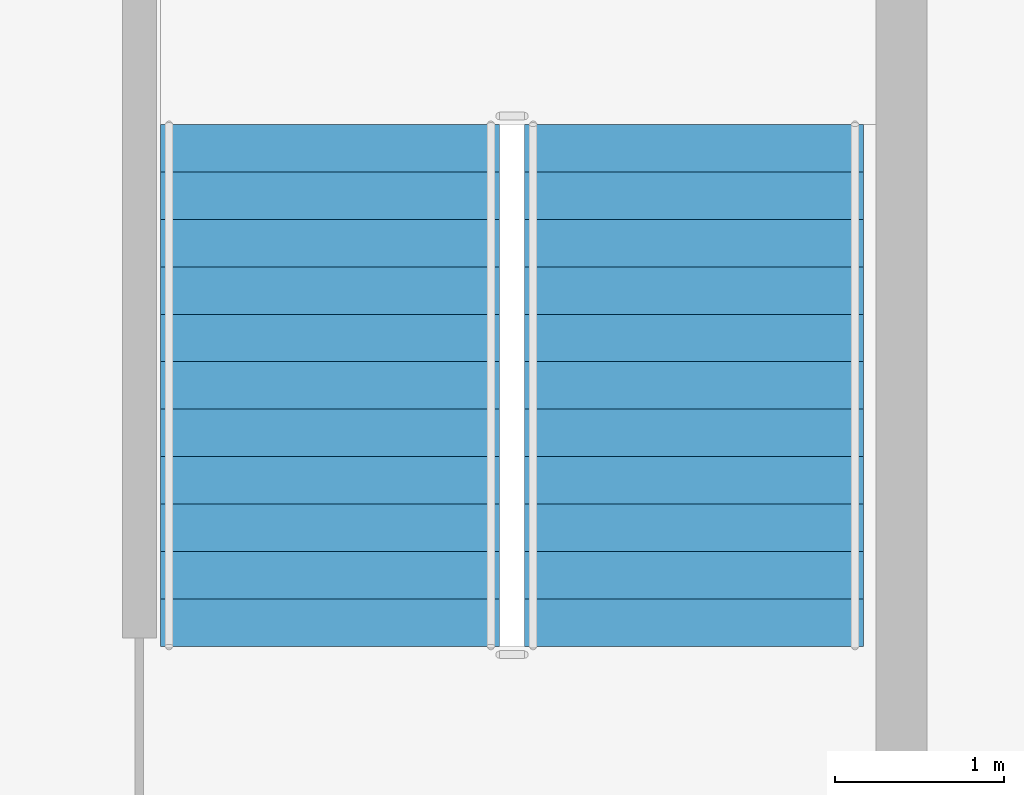
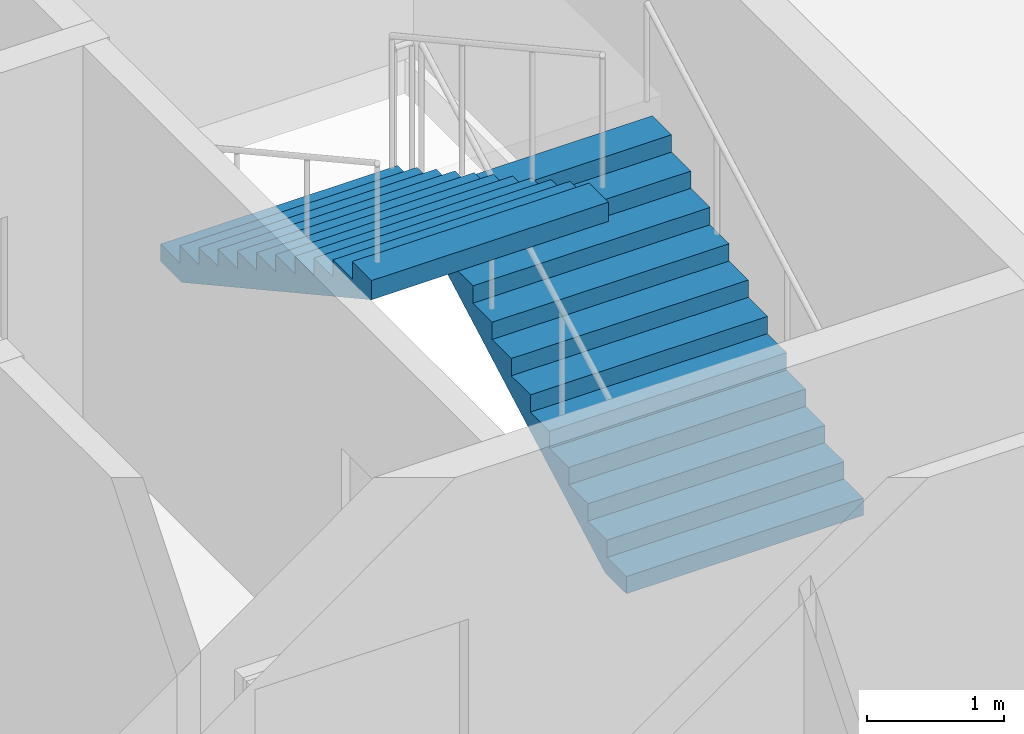
# One storey, part 10 of 17: 2 stair flights, 1 element without a shape of its own.
"""IFC4 building model written with IfcOpenShell, lengths in metres."""

from ifc_helpers import new_model, si_unit, direction, frame, origin, place, context, subcontext, project, spatial, polygons, material, type_object, element, aggregate, save


model = new_model("IFC4")

# Units and contexts
model_context = context("Model", 3, precision=1e-05, world=origin(), true_north=direction((0.0, 1.0)))
body_context = subcontext(model_context, "Body", "Model", "MODEL_VIEW")
ifc_project = project(units=[si_unit("LENGTHUNIT", "METRE"), si_unit("AREAUNIT", "SQUARE_METRE"), si_unit("VOLUMEUNIT", "CUBIC_METRE"), si_unit("PLANEANGLEUNIT", "RADIAN"), si_unit("MASSUNIT", "GRAM", prefix="KILO")], contexts=[model_context])

# Site, building, storey
site_placement = place(None, origin())
site = spatial("IfcSite", under=ifc_project, at=site_placement, CompositionType="ELEMENT")
building_placement = place(site_placement, origin())
building = spatial("IfcBuilding", under=site, at=building_placement, Name="Caravel Reach Hotel and Residences", CompositionType="ELEMENT")
storey_placement = place(building_placement, frame((0.0, 0.0, 192.39990234375)))
storey = spatial("IfcBuildingStorey", under=building, at=storey_placement, Name="L48", CompositionType="ELEMENT", Elevation=192.39990234375)

# Stair, stair flights
ifc_material_1 = material(Name="Concrete C40", Category="concrete")
stair_type = type_object("IfcStairType", Name="Core stair", PredefinedType="HALF_TURN_STAIR", material=ifc_material_1)
stair_placement = place(storey_placement, origin())
stair = element("IfcStair", 1, at=stair_placement, inside=storey, type_object=stair_type, Name="L48 Exit stair B", PredefinedType="HALF_TURN_STAIR")
ifc_material_2 = material(Name="Concrete C40", Category="concrete")
stair_flight_type = type_object("IfcStairFlightType", Name="Core stair flight", PredefinedType="STRAIGHT", material=ifc_material_2)
stair_flight_1_placement = place(storey_placement, frame((43.77490234375, 24.64990234375, 0.0), z_axis=(0.0, 0.0, 1.0), x_axis=(0.0, 1.0, 0.0)))
stair_flight_1 = element("IfcStairFlight", 2, at=stair_flight_1_placement, type_object=stair_flight_type, Name="ST-B flight 1", NumberOfRisers=12, NumberOfTreads=11, PredefinedType="STRAIGHT", RiserHeight=0.154166667, TreadLength=0.28, context=body_context, shape_type="Tessellation", body=[
    polygons([(0.3107950034306102, 1.0, 0.0), (0.3107950034306102, 0.6666666666666667, 0.0), (0.3107950034306102, 0.33333333333333337, 0.0), (0.3107950034306102, 0.0, 0.0), (0.3107950034306102, -0.33333333333333326, 0.0), (0.3107950034306102, -0.6666666666666667, 0.0), (0.3107950034306102, -1.0, 0.0), (3.081, 1.0, 1.524711087717319), (3.081, 0.6666666666666667, 1.524711087717319), (3.081, 0.33333333333333337, 1.524711087717319), (3.081, 0.0, 1.524711087717319), (3.081, -0.33333333333333326, 1.524711087717319), (3.081, -0.6666666666666667, 1.524711087717319), (3.081, -1.0, 1.524711087717319), (3.081, 1.0, 1.695833337), (3.081, 0.6666666666666667, 1.695833337), (3.081, 0.33333333333333337, 1.695833337), (3.081, 0.0, 1.695833337), (3.081, -0.33333333333333326, 1.695833337), (3.081, -0.6666666666666667, 1.695833337), (3.081, -1.0, 1.695833337), (2.8000000000000003, 1.0, 1.695833337), (2.8000000000000003, 0.6666666666666667, 1.695833337), (2.8000000000000003, 0.33333333333333337, 1.695833337), (2.8000000000000003, 0.0, 1.695833337), (2.8000000000000003, -0.33333333333333326, 1.695833337), (2.8000000000000003, -0.6666666666666667, 1.695833337), (2.8000000000000003, -1.0, 1.695833337), (2.8000000000000003, 1.0, 1.5416666700000001), (2.8000000000000003, 0.6666666666666667, 1.5416666700000001), (2.8000000000000003, 0.33333333333333337, 1.5416666700000001), (2.8000000000000003, 0.0, 1.5416666700000001), (2.8000000000000003, -0.33333333333333326, 1.5416666700000001), (2.8000000000000003, -0.6666666666666667, 1.5416666700000001), (2.8000000000000003, -1.0, 1.5416666700000001), (2.5200000000000005, 1.0, 1.5416666700000001), (2.5200000000000005, 0.6666666666666667, 1.5416666700000001), (2.5200000000000005, 0.33333333333333337, 1.5416666700000001), (2.5200000000000005, 0.0, 1.5416666700000001), (2.5200000000000005, -0.33333333333333326, 1.5416666700000001), (2.5200000000000005, -0.6666666666666667, 1.5416666700000001), (2.5200000000000005, -1.0, 1.5416666700000001), (2.5200000000000005, 1.0, 1.387500003), (2.5200000000000005, 0.6666666666666667, 1.387500003), (2.5200000000000005, 0.33333333333333337, 1.387500003), (2.5200000000000005, 0.0, 1.387500003), (2.5200000000000005, -0.33333333333333326, 1.387500003), (2.5200000000000005, -0.6666666666666667, 1.387500003), (2.5200000000000005, -1.0, 1.387500003), (2.24, 1.0, 1.387500003), (2.24, 0.6666666666666667, 1.387500003), (2.24, 0.33333333333333337, 1.387500003), (2.24, 0.0, 1.387500003), (2.24, -0.33333333333333326, 1.387500003), (2.24, -0.6666666666666667, 1.387500003), (2.24, -1.0, 1.387500003), (2.24, 1.0, 1.233333336), (2.24, 0.6666666666666667, 1.233333336), (2.24, 0.33333333333333337, 1.233333336), (2.24, 0.0, 1.233333336), (2.24, -0.33333333333333326, 1.233333336), (2.24, -0.6666666666666667, 1.233333336), (2.24, -1.0, 1.233333336), (1.9600000000000002, 1.0, 1.233333336), (1.9600000000000002, 0.6666666666666667, 1.233333336), (1.9600000000000002, 0.33333333333333337, 1.233333336), (1.9600000000000002, 0.0, 1.233333336), (1.9600000000000002, -0.33333333333333326, 1.233333336), (1.9600000000000002, -0.6666666666666667, 1.233333336), (1.9600000000000002, -1.0, 1.233333336), (1.9600000000000002, 1.0, 1.0791666690000001), (1.9600000000000002, 0.6666666666666667, 1.0791666690000001), (1.9600000000000002, 0.33333333333333337, 1.0791666690000001), (1.9600000000000002, 0.0, 1.0791666690000001), (1.9600000000000002, -0.33333333333333326, 1.0791666690000001), (1.9600000000000002, -0.6666666666666667, 1.0791666690000001), (1.9600000000000002, -1.0, 1.0791666690000001), (1.6800000000000002, 1.0, 1.0791666690000001), (1.6800000000000002, 0.6666666666666667, 1.0791666690000001), (1.6800000000000002, 0.33333333333333337, 1.0791666690000001), (1.6800000000000002, 0.0, 1.0791666690000001), (1.6800000000000002, -0.33333333333333326, 1.0791666690000001), (1.6800000000000002, -0.6666666666666667, 1.0791666690000001), (1.6800000000000002, -1.0, 1.0791666690000001), (1.6800000000000002, 1.0, 0.925000002), (1.6800000000000002, 0.6666666666666667, 0.925000002), (1.6800000000000002, 0.33333333333333337, 0.925000002), (1.6800000000000002, 0.0, 0.925000002), (1.6800000000000002, -0.33333333333333326, 0.925000002), (1.6800000000000002, -0.6666666666666667, 0.925000002), (1.6800000000000002, -1.0, 0.925000002), (1.4000000000000001, 1.0, 0.925000002), (1.4000000000000001, 0.6666666666666667, 0.925000002), (1.4000000000000001, 0.33333333333333337, 0.925000002), (1.4000000000000001, 0.0, 0.925000002), (1.4000000000000001, -0.33333333333333326, 0.925000002), (1.4000000000000001, -0.6666666666666667, 0.925000002), (1.4000000000000001, -1.0, 0.925000002), (1.4000000000000001, 1.0, 0.7708333350000001), (1.4000000000000001, 0.6666666666666667, 0.7708333350000001), (1.4000000000000001, 0.33333333333333337, 0.7708333350000001), (1.4000000000000001, 0.0, 0.7708333350000001), (1.4000000000000001, -0.33333333333333326, 0.7708333350000001), (1.4000000000000001, -0.6666666666666667, 0.7708333350000001), (1.4000000000000001, -1.0, 0.7708333350000001), (1.12, 1.0, 0.7708333350000001), (1.12, 0.6666666666666667, 0.7708333350000001), (1.12, 0.33333333333333337, 0.7708333350000001), (1.12, 0.0, 0.7708333350000001), (1.12, -0.33333333333333326, 0.7708333350000001), (1.12, -0.6666666666666667, 0.7708333350000001), (1.12, -1.0, 0.7708333350000001), (1.12, 1.0, 0.616666668), (1.12, 0.6666666666666667, 0.616666668), (1.12, 0.33333333333333337, 0.616666668), (1.12, 0.0, 0.616666668), (1.12, -0.33333333333333326, 0.616666668), (1.12, -0.6666666666666667, 0.616666668), (1.12, -1.0, 0.616666668), (0.8400000000000001, 1.0, 0.616666668), (0.8400000000000001, 0.6666666666666667, 0.616666668), (0.8400000000000001, 0.33333333333333337, 0.616666668), (0.8400000000000001, 0.0, 0.616666668), (0.8400000000000001, -0.33333333333333326, 0.616666668), (0.8400000000000001, -0.6666666666666667, 0.616666668), (0.8400000000000001, -1.0, 0.616666668), (0.8400000000000001, 1.0, 0.462500001), (0.8400000000000001, 0.6666666666666667, 0.462500001), (0.8400000000000001, 0.33333333333333337, 0.462500001), (0.8400000000000001, 0.0, 0.462500001), (0.8400000000000001, -0.33333333333333326, 0.462500001), (0.8400000000000001, -0.6666666666666667, 0.462500001), (0.8400000000000001, -1.0, 0.462500001), (0.56, 1.0, 0.462500001), (0.56, 0.6666666666666667, 0.462500001), (0.56, 0.33333333333333337, 0.462500001), (0.56, 0.0, 0.462500001), (0.56, -0.33333333333333326, 0.462500001), (0.56, -0.6666666666666667, 0.462500001), (0.56, -1.0, 0.462500001), (0.56, 1.0, 0.308333334), (0.56, 0.6666666666666667, 0.308333334), (0.56, 0.33333333333333337, 0.308333334), (0.56, 0.0, 0.308333334), (0.56, -0.33333333333333326, 0.308333334), (0.56, -0.6666666666666667, 0.308333334), (0.56, -1.0, 0.308333334), (0.28, 1.0, 0.308333334), (0.28, 0.6666666666666667, 0.308333334), (0.28, 0.33333333333333337, 0.308333334), (0.28, 0.0, 0.308333334), (0.28, -0.33333333333333326, 0.308333334), (0.28, -0.6666666666666667, 0.308333334), (0.28, -1.0, 0.308333334), (0.28, 1.0, 0.154166667), (0.28, 0.6666666666666667, 0.154166667), (0.28, 0.33333333333333337, 0.154166667), (0.28, 0.0, 0.154166667), (0.28, -0.33333333333333326, 0.154166667), (0.28, -0.6666666666666667, 0.154166667), (0.28, -1.0, 0.154166667), (-0.001, 1.0, 0.154166667), (-0.001, 0.6666666666666667, 0.154166667), (-0.001, 0.33333333333333337, 0.154166667), (-0.001, 0.0, 0.154166667), (-0.001, -0.33333333333333326, 0.154166667), (-0.001, -0.6666666666666667, 0.154166667), (-0.001, -1.0, 0.154166667), (-0.001, 1.0, 0.0), (-0.001, 0.6666666666666667, 0.0), (-0.001, 0.33333333333333337, 0.0), (-0.001, 0.0, 0.0), (-0.001, -0.33333333333333326, 0.0), (-0.001, -0.6666666666666667, 0.0), (-0.001, -1.0, 0.0)], [[[169, 162, 155, 148, 141, 134, 127, 120, 113, 106, 99, 92, 85, 78, 71, 64, 57, 50, 43, 36, 29, 22, 15, 8, 1]], [[7, 14, 21, 28, 35, 42, 49, 56, 63, 70, 77, 84, 91, 98, 105, 112, 119, 126, 133, 140, 147, 154, 161, 168, 175]], [[1, 8, 9, 2]], [[2, 9, 10, 3]], [[3, 10, 11, 4]], [[4, 11, 12, 5]], [[5, 12, 13, 6]], [[6, 13, 14, 7]], [[8, 15, 16, 9]], [[9, 16, 17, 10]], [[10, 17, 18, 11]], [[11, 18, 19, 12]], [[12, 19, 20, 13]], [[13, 20, 21, 14]], [[15, 22, 23, 16]], [[16, 23, 24, 17]], [[17, 24, 25, 18]], [[18, 25, 26, 19]], [[19, 26, 27, 20]], [[20, 27, 28, 21]], [[22, 29, 30, 23]], [[23, 30, 31, 24]], [[24, 31, 32, 25]], [[25, 32, 33, 26]], [[26, 33, 34, 27]], [[27, 34, 35, 28]], [[29, 36, 37, 30]], [[30, 37, 38, 31]], [[31, 38, 39, 32]], [[32, 39, 40, 33]], [[33, 40, 41, 34]], [[34, 41, 42, 35]], [[36, 43, 44, 37]], [[37, 44, 45, 38]], [[38, 45, 46, 39]], [[39, 46, 47, 40]], [[40, 47, 48, 41]], [[41, 48, 49, 42]], [[43, 50, 51, 44]], [[44, 51, 52, 45]], [[45, 52, 53, 46]], [[46, 53, 54, 47]], [[47, 54, 55, 48]], [[48, 55, 56, 49]], [[50, 57, 58, 51]], [[51, 58, 59, 52]], [[52, 59, 60, 53]], [[53, 60, 61, 54]], [[54, 61, 62, 55]], [[55, 62, 63, 56]], [[57, 64, 65, 58]], [[58, 65, 66, 59]], [[59, 66, 67, 60]], [[60, 67, 68, 61]], [[61, 68, 69, 62]], [[62, 69, 70, 63]], [[64, 71, 72, 65]], [[65, 72, 73, 66]], [[66, 73, 74, 67]], [[67, 74, 75, 68]], [[68, 75, 76, 69]], [[69, 76, 77, 70]], [[71, 78, 79, 72]], [[72, 79, 80, 73]], [[73, 80, 81, 74]], [[74, 81, 82, 75]], [[75, 82, 83, 76]], [[76, 83, 84, 77]], [[78, 85, 86, 79]], [[79, 86, 87, 80]], [[80, 87, 88, 81]], [[81, 88, 89, 82]], [[82, 89, 90, 83]], [[83, 90, 91, 84]], [[85, 92, 93, 86]], [[86, 93, 94, 87]], [[87, 94, 95, 88]], [[88, 95, 96, 89]], [[89, 96, 97, 90]], [[90, 97, 98, 91]], [[92, 99, 100, 93]], [[93, 100, 101, 94]], [[94, 101, 102, 95]], [[95, 102, 103, 96]], [[96, 103, 104, 97]], [[97, 104, 105, 98]], [[99, 106, 107, 100]], [[100, 107, 108, 101]], [[101, 108, 109, 102]], [[102, 109, 110, 103]], [[103, 110, 111, 104]], [[104, 111, 112, 105]], [[106, 113, 114, 107]], [[107, 114, 115, 108]], [[108, 115, 116, 109]], [[109, 116, 117, 110]], [[110, 117, 118, 111]], [[111, 118, 119, 112]], [[113, 120, 121, 114]], [[114, 121, 122, 115]], [[115, 122, 123, 116]], [[116, 123, 124, 117]], [[117, 124, 125, 118]], [[118, 125, 126, 119]], [[120, 127, 128, 121]], [[121, 128, 129, 122]], [[122, 129, 130, 123]], [[123, 130, 131, 124]], [[124, 131, 132, 125]], [[125, 132, 133, 126]], [[127, 134, 135, 128]], [[128, 135, 136, 129]], [[129, 136, 137, 130]], [[130, 137, 138, 131]], [[131, 138, 139, 132]], [[132, 139, 140, 133]], [[134, 141, 142, 135]], [[135, 142, 143, 136]], [[136, 143, 144, 137]], [[137, 144, 145, 138]], [[138, 145, 146, 139]], [[139, 146, 147, 140]], [[141, 148, 149, 142]], [[142, 149, 150, 143]], [[143, 150, 151, 144]], [[144, 151, 152, 145]], [[145, 152, 153, 146]], [[146, 153, 154, 147]], [[148, 155, 156, 149]], [[149, 156, 157, 150]], [[150, 157, 158, 151]], [[151, 158, 159, 152]], [[152, 159, 160, 153]], [[153, 160, 161, 154]], [[155, 162, 163, 156]], [[156, 163, 164, 157]], [[157, 164, 165, 158]], [[158, 165, 166, 159]], [[159, 166, 167, 160]], [[160, 167, 168, 161]], [[162, 169, 170, 163]], [[163, 170, 171, 164]], [[164, 171, 172, 165]], [[165, 172, 173, 166]], [[166, 173, 174, 167]], [[167, 174, 175, 168]], [[169, 1, 2, 170]], [[170, 2, 3, 171]], [[171, 3, 4, 172]], [[172, 4, 5, 173]], [[173, 5, 6, 174]], [[174, 6, 7, 175]]], closed=True),
])
stair_flight_2_placement = place(storey_placement, frame((41.625, 27.72998046875, 1.85009765625), z_axis=(0.0, 0.0, 1.0), x_axis=(0.0, -1.0, 0.0)))
stair_flight_2 = element("IfcStairFlight", 3, at=stair_flight_2_placement, type_object=stair_flight_type, Name="ST-B flight 2", NumberOfRisers=12, NumberOfTreads=11, PredefinedType="STRAIGHT", RiserHeight=0.154166667, TreadLength=0.28, context=body_context, shape_type="Tessellation", body=[
    polygons([(0.3107950034306102, 1.0, 0.0), (0.3107950034306102, 0.6666666666666667, 0.0), (0.3107950034306102, 0.33333333333333337, 0.0), (0.3107950034306102, 0.0, 0.0), (0.3107950034306102, -0.33333333333333326, 0.0), (0.3107950034306102, -0.6666666666666667, 0.0), (0.3107950034306102, -1.0, 0.0), (3.081, 1.0, 1.524711087717319), (3.081, 0.6666666666666667, 1.524711087717319), (3.081, 0.33333333333333337, 1.524711087717319), (3.081, 0.0, 1.524711087717319), (3.081, -0.33333333333333326, 1.524711087717319), (3.081, -0.6666666666666667, 1.524711087717319), (3.081, -1.0, 1.524711087717319), (3.081, 1.0, 1.695833337), (3.081, 0.6666666666666667, 1.695833337), (3.081, 0.33333333333333337, 1.695833337), (3.081, 0.0, 1.695833337), (3.081, -0.33333333333333326, 1.695833337), (3.081, -0.6666666666666667, 1.695833337), (3.081, -1.0, 1.695833337), (2.8000000000000003, 1.0, 1.695833337), (2.8000000000000003, 0.6666666666666667, 1.695833337), (2.8000000000000003, 0.33333333333333337, 1.695833337), (2.8000000000000003, 0.0, 1.695833337), (2.8000000000000003, -0.33333333333333326, 1.695833337), (2.8000000000000003, -0.6666666666666667, 1.695833337), (2.8000000000000003, -1.0, 1.695833337), (2.8000000000000003, 1.0, 1.5416666700000001), (2.8000000000000003, 0.6666666666666667, 1.5416666700000001), (2.8000000000000003, 0.33333333333333337, 1.5416666700000001), (2.8000000000000003, 0.0, 1.5416666700000001), (2.8000000000000003, -0.33333333333333326, 1.5416666700000001), (2.8000000000000003, -0.6666666666666667, 1.5416666700000001), (2.8000000000000003, -1.0, 1.5416666700000001), (2.5200000000000005, 1.0, 1.5416666700000001), (2.5200000000000005, 0.6666666666666667, 1.5416666700000001), (2.5200000000000005, 0.33333333333333337, 1.5416666700000001), (2.5200000000000005, 0.0, 1.5416666700000001), (2.5200000000000005, -0.33333333333333326, 1.5416666700000001), (2.5200000000000005, -0.6666666666666667, 1.5416666700000001), (2.5200000000000005, -1.0, 1.5416666700000001), (2.5200000000000005, 1.0, 1.387500003), (2.5200000000000005, 0.6666666666666667, 1.387500003), (2.5200000000000005, 0.33333333333333337, 1.387500003), (2.5200000000000005, 0.0, 1.387500003), (2.5200000000000005, -0.33333333333333326, 1.387500003), (2.5200000000000005, -0.6666666666666667, 1.387500003), (2.5200000000000005, -1.0, 1.387500003), (2.24, 1.0, 1.387500003), (2.24, 0.6666666666666667, 1.387500003), (2.24, 0.33333333333333337, 1.387500003), (2.24, 0.0, 1.387500003), (2.24, -0.33333333333333326, 1.387500003), (2.24, -0.6666666666666667, 1.387500003), (2.24, -1.0, 1.387500003), (2.24, 1.0, 1.233333336), (2.24, 0.6666666666666667, 1.233333336), (2.24, 0.33333333333333337, 1.233333336), (2.24, 0.0, 1.233333336), (2.24, -0.33333333333333326, 1.233333336), (2.24, -0.6666666666666667, 1.233333336), (2.24, -1.0, 1.233333336), (1.9600000000000002, 1.0, 1.233333336), (1.9600000000000002, 0.6666666666666667, 1.233333336), (1.9600000000000002, 0.33333333333333337, 1.233333336), (1.9600000000000002, 0.0, 1.233333336), (1.9600000000000002, -0.33333333333333326, 1.233333336), (1.9600000000000002, -0.6666666666666667, 1.233333336), (1.9600000000000002, -1.0, 1.233333336), (1.9600000000000002, 1.0, 1.0791666690000001), (1.9600000000000002, 0.6666666666666667, 1.0791666690000001), (1.9600000000000002, 0.33333333333333337, 1.0791666690000001), (1.9600000000000002, 0.0, 1.0791666690000001), (1.9600000000000002, -0.33333333333333326, 1.0791666690000001), (1.9600000000000002, -0.6666666666666667, 1.0791666690000001), (1.9600000000000002, -1.0, 1.0791666690000001), (1.6800000000000002, 1.0, 1.0791666690000001), (1.6800000000000002, 0.6666666666666667, 1.0791666690000001), (1.6800000000000002, 0.33333333333333337, 1.0791666690000001), (1.6800000000000002, 0.0, 1.0791666690000001), (1.6800000000000002, -0.33333333333333326, 1.0791666690000001), (1.6800000000000002, -0.6666666666666667, 1.0791666690000001), (1.6800000000000002, -1.0, 1.0791666690000001), (1.6800000000000002, 1.0, 0.925000002), (1.6800000000000002, 0.6666666666666667, 0.925000002), (1.6800000000000002, 0.33333333333333337, 0.925000002), (1.6800000000000002, 0.0, 0.925000002), (1.6800000000000002, -0.33333333333333326, 0.925000002), (1.6800000000000002, -0.6666666666666667, 0.925000002), (1.6800000000000002, -1.0, 0.925000002), (1.4000000000000001, 1.0, 0.925000002), (1.4000000000000001, 0.6666666666666667, 0.925000002), (1.4000000000000001, 0.33333333333333337, 0.925000002), (1.4000000000000001, 0.0, 0.925000002), (1.4000000000000001, -0.33333333333333326, 0.925000002), (1.4000000000000001, -0.6666666666666667, 0.925000002), (1.4000000000000001, -1.0, 0.925000002), (1.4000000000000001, 1.0, 0.7708333350000001), (1.4000000000000001, 0.6666666666666667, 0.7708333350000001), (1.4000000000000001, 0.33333333333333337, 0.7708333350000001), (1.4000000000000001, 0.0, 0.7708333350000001), (1.4000000000000001, -0.33333333333333326, 0.7708333350000001), (1.4000000000000001, -0.6666666666666667, 0.7708333350000001), (1.4000000000000001, -1.0, 0.7708333350000001), (1.12, 1.0, 0.7708333350000001), (1.12, 0.6666666666666667, 0.7708333350000001), (1.12, 0.33333333333333337, 0.7708333350000001), (1.12, 0.0, 0.7708333350000001), (1.12, -0.33333333333333326, 0.7708333350000001), (1.12, -0.6666666666666667, 0.7708333350000001), (1.12, -1.0, 0.7708333350000001), (1.12, 1.0, 0.616666668), (1.12, 0.6666666666666667, 0.616666668), (1.12, 0.33333333333333337, 0.616666668), (1.12, 0.0, 0.616666668), (1.12, -0.33333333333333326, 0.616666668), (1.12, -0.6666666666666667, 0.616666668), (1.12, -1.0, 0.616666668), (0.8400000000000001, 1.0, 0.616666668), (0.8400000000000001, 0.6666666666666667, 0.616666668), (0.8400000000000001, 0.33333333333333337, 0.616666668), (0.8400000000000001, 0.0, 0.616666668), (0.8400000000000001, -0.33333333333333326, 0.616666668), (0.8400000000000001, -0.6666666666666667, 0.616666668), (0.8400000000000001, -1.0, 0.616666668), (0.8400000000000001, 1.0, 0.462500001), (0.8400000000000001, 0.6666666666666667, 0.462500001), (0.8400000000000001, 0.33333333333333337, 0.462500001), (0.8400000000000001, 0.0, 0.462500001), (0.8400000000000001, -0.33333333333333326, 0.462500001), (0.8400000000000001, -0.6666666666666667, 0.462500001), (0.8400000000000001, -1.0, 0.462500001), (0.56, 1.0, 0.462500001), (0.56, 0.6666666666666667, 0.462500001), (0.56, 0.33333333333333337, 0.462500001), (0.56, 0.0, 0.462500001), (0.56, -0.33333333333333326, 0.462500001), (0.56, -0.6666666666666667, 0.462500001), (0.56, -1.0, 0.462500001), (0.56, 1.0, 0.308333334), (0.56, 0.6666666666666667, 0.308333334), (0.56, 0.33333333333333337, 0.308333334), (0.56, 0.0, 0.308333334), (0.56, -0.33333333333333326, 0.308333334), (0.56, -0.6666666666666667, 0.308333334), (0.56, -1.0, 0.308333334), (0.28, 1.0, 0.308333334), (0.28, 0.6666666666666667, 0.308333334), (0.28, 0.33333333333333337, 0.308333334), (0.28, 0.0, 0.308333334), (0.28, -0.33333333333333326, 0.308333334), (0.28, -0.6666666666666667, 0.308333334), (0.28, -1.0, 0.308333334), (0.28, 1.0, 0.154166667), (0.28, 0.6666666666666667, 0.154166667), (0.28, 0.33333333333333337, 0.154166667), (0.28, 0.0, 0.154166667), (0.28, -0.33333333333333326, 0.154166667), (0.28, -0.6666666666666667, 0.154166667), (0.28, -1.0, 0.154166667), (-0.001, 1.0, 0.154166667), (-0.001, 0.6666666666666667, 0.154166667), (-0.001, 0.33333333333333337, 0.154166667), (-0.001, 0.0, 0.154166667), (-0.001, -0.33333333333333326, 0.154166667), (-0.001, -0.6666666666666667, 0.154166667), (-0.001, -1.0, 0.154166667), (-0.001, 1.0, 0.0), (-0.001, 0.6666666666666667, 0.0), (-0.001, 0.33333333333333337, 0.0), (-0.001, 0.0, 0.0), (-0.001, -0.33333333333333326, 0.0), (-0.001, -0.6666666666666667, 0.0), (-0.001, -1.0, 0.0)], [[[169, 162, 155, 148, 141, 134, 127, 120, 113, 106, 99, 92, 85, 78, 71, 64, 57, 50, 43, 36, 29, 22, 15, 8, 1]], [[7, 14, 21, 28, 35, 42, 49, 56, 63, 70, 77, 84, 91, 98, 105, 112, 119, 126, 133, 140, 147, 154, 161, 168, 175]], [[1, 8, 9, 2]], [[2, 9, 10, 3]], [[3, 10, 11, 4]], [[4, 11, 12, 5]], [[5, 12, 13, 6]], [[6, 13, 14, 7]], [[8, 15, 16, 9]], [[9, 16, 17, 10]], [[10, 17, 18, 11]], [[11, 18, 19, 12]], [[12, 19, 20, 13]], [[13, 20, 21, 14]], [[15, 22, 23, 16]], [[16, 23, 24, 17]], [[17, 24, 25, 18]], [[18, 25, 26, 19]], [[19, 26, 27, 20]], [[20, 27, 28, 21]], [[22, 29, 30, 23]], [[23, 30, 31, 24]], [[24, 31, 32, 25]], [[25, 32, 33, 26]], [[26, 33, 34, 27]], [[27, 34, 35, 28]], [[29, 36, 37, 30]], [[30, 37, 38, 31]], [[31, 38, 39, 32]], [[32, 39, 40, 33]], [[33, 40, 41, 34]], [[34, 41, 42, 35]], [[36, 43, 44, 37]], [[37, 44, 45, 38]], [[38, 45, 46, 39]], [[39, 46, 47, 40]], [[40, 47, 48, 41]], [[41, 48, 49, 42]], [[43, 50, 51, 44]], [[44, 51, 52, 45]], [[45, 52, 53, 46]], [[46, 53, 54, 47]], [[47, 54, 55, 48]], [[48, 55, 56, 49]], [[50, 57, 58, 51]], [[51, 58, 59, 52]], [[52, 59, 60, 53]], [[53, 60, 61, 54]], [[54, 61, 62, 55]], [[55, 62, 63, 56]], [[57, 64, 65, 58]], [[58, 65, 66, 59]], [[59, 66, 67, 60]], [[60, 67, 68, 61]], [[61, 68, 69, 62]], [[62, 69, 70, 63]], [[64, 71, 72, 65]], [[65, 72, 73, 66]], [[66, 73, 74, 67]], [[67, 74, 75, 68]], [[68, 75, 76, 69]], [[69, 76, 77, 70]], [[71, 78, 79, 72]], [[72, 79, 80, 73]], [[73, 80, 81, 74]], [[74, 81, 82, 75]], [[75, 82, 83, 76]], [[76, 83, 84, 77]], [[78, 85, 86, 79]], [[79, 86, 87, 80]], [[80, 87, 88, 81]], [[81, 88, 89, 82]], [[82, 89, 90, 83]], [[83, 90, 91, 84]], [[85, 92, 93, 86]], [[86, 93, 94, 87]], [[87, 94, 95, 88]], [[88, 95, 96, 89]], [[89, 96, 97, 90]], [[90, 97, 98, 91]], [[92, 99, 100, 93]], [[93, 100, 101, 94]], [[94, 101, 102, 95]], [[95, 102, 103, 96]], [[96, 103, 104, 97]], [[97, 104, 105, 98]], [[99, 106, 107, 100]], [[100, 107, 108, 101]], [[101, 108, 109, 102]], [[102, 109, 110, 103]], [[103, 110, 111, 104]], [[104, 111, 112, 105]], [[106, 113, 114, 107]], [[107, 114, 115, 108]], [[108, 115, 116, 109]], [[109, 116, 117, 110]], [[110, 117, 118, 111]], [[111, 118, 119, 112]], [[113, 120, 121, 114]], [[114, 121, 122, 115]], [[115, 122, 123, 116]], [[116, 123, 124, 117]], [[117, 124, 125, 118]], [[118, 125, 126, 119]], [[120, 127, 128, 121]], [[121, 128, 129, 122]], [[122, 129, 130, 123]], [[123, 130, 131, 124]], [[124, 131, 132, 125]], [[125, 132, 133, 126]], [[127, 134, 135, 128]], [[128, 135, 136, 129]], [[129, 136, 137, 130]], [[130, 137, 138, 131]], [[131, 138, 139, 132]], [[132, 139, 140, 133]], [[134, 141, 142, 135]], [[135, 142, 143, 136]], [[136, 143, 144, 137]], [[137, 144, 145, 138]], [[138, 145, 146, 139]], [[139, 146, 147, 140]], [[141, 148, 149, 142]], [[142, 149, 150, 143]], [[143, 150, 151, 144]], [[144, 151, 152, 145]], [[145, 152, 153, 146]], [[146, 153, 154, 147]], [[148, 155, 156, 149]], [[149, 156, 157, 150]], [[150, 157, 158, 151]], [[151, 158, 159, 152]], [[152, 159, 160, 153]], [[153, 160, 161, 154]], [[155, 162, 163, 156]], [[156, 163, 164, 157]], [[157, 164, 165, 158]], [[158, 165, 166, 159]], [[159, 166, 167, 160]], [[160, 167, 168, 161]], [[162, 169, 170, 163]], [[163, 170, 171, 164]], [[164, 171, 172, 165]], [[165, 172, 173, 166]], [[166, 173, 174, 167]], [[167, 174, 175, 168]], [[169, 1, 2, 170]], [[170, 2, 3, 171]], [[171, 3, 4, 172]], [[172, 4, 5, 173]], [[173, 5, 6, 174]], [[174, 6, 7, 175]]], closed=True),
])
aggregate(stair, [stair_flight_1, stair_flight_2])

save(model, "model.ifc")
